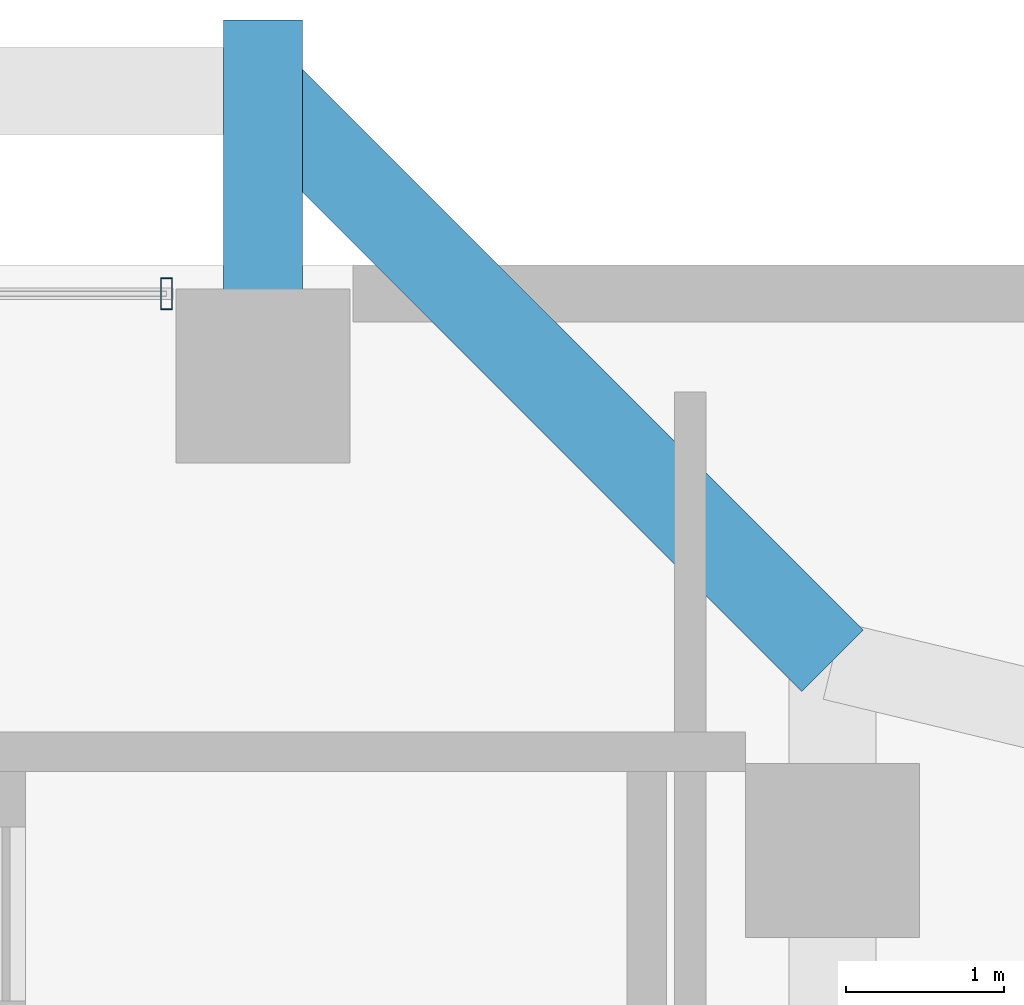
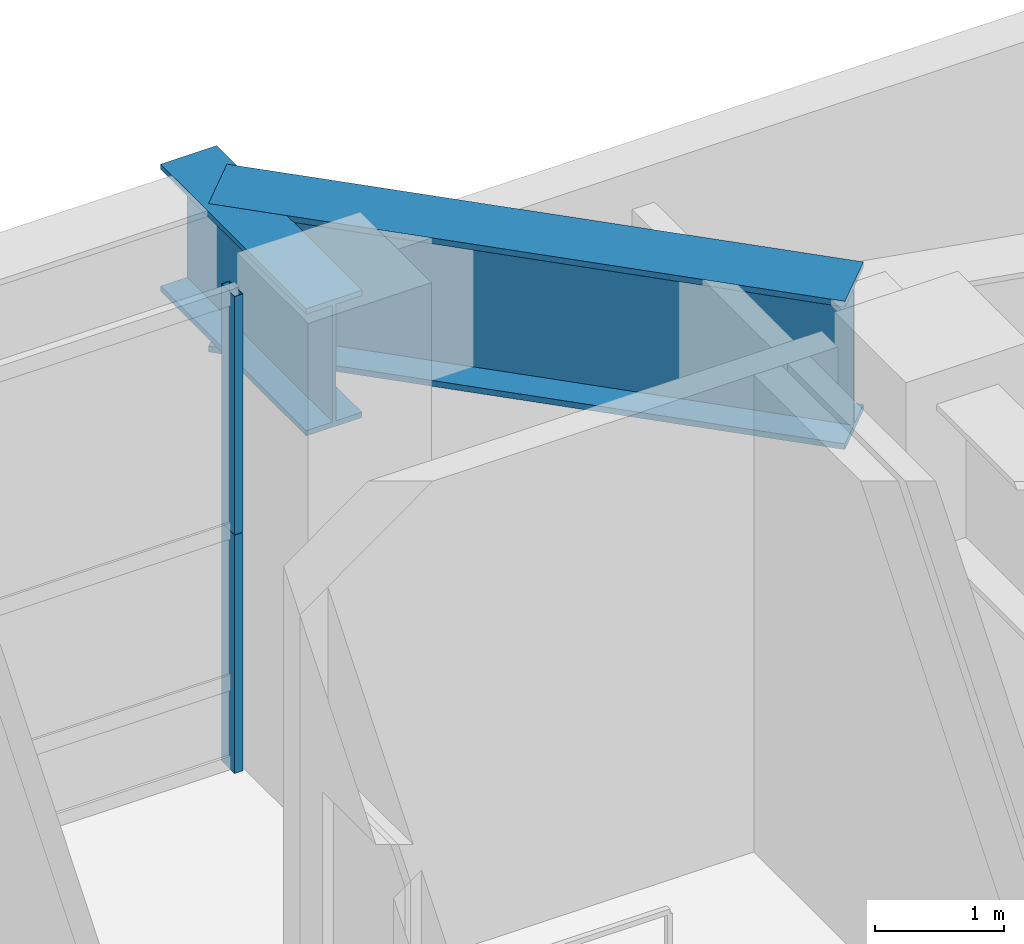
# One storey, part 23 of 34: 2 beams, 2 members, 1 element without a shape of its own.
"""IFC4 building model written with IfcOpenShell, lengths in metres."""

import ifcopenshell
import ifcopenshell.guid

model = None  # the IFC model being written
_history = None  # IfcOwnerHistory: only IFC2X3 demands one
_inside = {}  # id of a spatial element -> (the spatial element, [elements in it])
_under = {}  # id of a project, library or spatial element -> (it, [spatial elements below it])
_declared = {}  # id of a project -> (the project, [libraries it declares])
_typed = {}  # id of a type object -> (the type object, [elements of that type])
_made_of = {}  # id of a material, layer set ... -> (it, [elements and type objects made of it])


def new_model(schema):
    """Start an empty IFC model of exactly this schema.

    Asked for "IFC4X3", IfcOpenShell would pick the latest addendum, in which some entities
    have other attributes; the version numbers below select the first issue.
    IFC2X3 requires an IfcOwnerHistory on every rooted entity: one is made here for all.
    """
    global model, _history
    if schema == "IFC4X3":
        model = ifcopenshell.file(schema_version=(4, 3, 0, 0))
    else:
        model = ifcopenshell.file(schema=schema)
    _inside.clear()
    _under.clear()
    _declared.clear()
    _typed.clear()
    _made_of.clear()
    _history = None
    if model.schema == "IFC2X3":
        org = make("IfcOrganization", Name="unknown")
        user = make(
            "IfcPersonAndOrganization",
            ThePerson=make("IfcPerson", FamilyName="unknown"),
            TheOrganization=org,
        )
        app = make(
            "IfcApplication",
            ApplicationDeveloper=org,
            Version="unknown",
            ApplicationFullName="unknown",
            ApplicationIdentifier="unknown",
        )
        _history = make(
            "IfcOwnerHistory",
            OwningUser=user,
            OwningApplication=app,
            ChangeAction="ADDED",
            CreationDate=0,
        )
    return model


def make(cls, **values):
    """One entity of the class cls with the attributes given. An attribute that is None is left unset."""
    return model.create_entity(
        cls, **{name: value for name, value in values.items() if value is not None}
    )


def rooted(cls, **values):
    """An entity with a GlobalId (a new one), such as an element, a storey or a relation."""
    return make(cls, GlobalId=ifcopenshell.guid.new(), OwnerHistory=_history, **values)


def si_unit(unit_type, name, prefix=None):
    """IfcSIUnit, for example si_unit("LENGTHUNIT", "METRE", prefix="MILLI")."""
    return make("IfcSIUnit", UnitType=unit_type, Prefix=prefix, Name=name)


def assignment(units):
    """IfcUnitAssignment: the units of a project."""
    return None if units is None else make("IfcUnitAssignment", Units=units)


def point(xyz):
    """IfcCartesianPoint."""
    return None if xyz is None else make("IfcCartesianPoint", Coordinates=xyz)


def direction(xyz):
    """IfcDirection."""
    return None if xyz is None else make("IfcDirection", DirectionRatios=xyz)


def frame(location, z_axis=None, x_axis=None):
    """IfcAxis2Placement3D, a coordinate frame: its origin and axes. An axis left out is left unset."""
    return make(
        "IfcAxis2Placement3D",
        Location=point(location),
        Axis=direction(z_axis),
        RefDirection=direction(x_axis),
    )


def frame_2d(location, x_axis=None):
    """IfcAxis2Placement2D, a coordinate frame in the plane: its origin and x axis."""
    return make(
        "IfcAxis2Placement2D", Location=point(location), RefDirection=direction(x_axis)
    )


def origin():
    """The frame at (0, 0, 0) with its axes left unset."""
    return frame((0.0, 0.0, 0.0))


def origin_2d():
    """The frame at (0, 0) in the plane with its x axis left unset."""
    return frame_2d((0.0, 0.0))


def place(relative_to, where):
    """IfcLocalPlacement: puts the frame where relative to a parent placement (None: the world)."""
    return make(
        "IfcLocalPlacement", PlacementRelTo=relative_to, RelativePlacement=where
    )


def context(
    kind, dimensions, precision=None, world=None, true_north=None, identifier=None
):
    """IfcGeometricRepresentationContext, for example the 3D "Model" context."""
    return make(
        "IfcGeometricRepresentationContext",
        ContextIdentifier=identifier,
        ContextType=kind,
        CoordinateSpaceDimension=dimensions,
        Precision=precision,
        WorldCoordinateSystem=world,
        TrueNorth=true_north,
    )


def subcontext(parent, identifier, kind, view, scale=None):
    """IfcGeometricRepresentationSubContext, for example "Body" below "Model"."""
    return make(
        "IfcGeometricRepresentationSubContext",
        ContextIdentifier=identifier,
        ContextType=kind,
        ParentContext=parent,
        TargetScale=scale,
        TargetView=view,
    )


def project(units=None, contexts=None):
    """IfcProject with its units and contexts."""
    return rooted(
        "IfcProject",
        Name="project",
        RepresentationContexts=contexts,
        UnitsInContext=assignment(units),
    )


def spatial(cls, under=None, at=None, **own):
    """A site, building, storey or space (cls), placed at a placement, below another one or the project."""
    s = rooted(cls, ObjectPlacement=at, **own)
    if under is not None:
        _under.setdefault(under.id(), (under, []))[1].append(s)
    return s


def profile(cls, at=None, kind="AREA", **sizes):
    """A parametric profile (cls). Its sizes go by their IFC names, for example OverallWidth=200.0."""
    return make(cls, ProfileType=kind, Position=at, **sizes)


def hollow_rectangle(**sizes):
    """IfcRectangleHollowProfileDef."""
    return profile("IfcRectangleHollowProfileDef", **sizes)


def i_section(**sizes):
    """IfcIShapeProfileDef."""
    return profile("IfcIShapeProfileDef", **sizes)


def extrude(swept, where, along, depth):
    """IfcExtrudedAreaSolid: the profile swept, set in the frame where, extruded along a direction by depth."""
    return make(
        "IfcExtrudedAreaSolid",
        SweptArea=swept,
        Position=where,
        ExtrudedDirection=direction(along),
        Depth=depth,
    )


def shape(context_of_items, identifier, shape_type, items):
    """IfcShapeRepresentation: the items that make up one representation, for example the "Body"."""
    return make(
        "IfcShapeRepresentation",
        ContextOfItems=context_of_items,
        RepresentationIdentifier=identifier,
        RepresentationType=shape_type,
        Items=items,
    )


def source(mapping_origin, context_of_items, identifier, shape_type, items):
    """IfcRepresentationMap: a shape defined once, which mapped items show again and again."""
    return make(
        "IfcRepresentationMap",
        MappingOrigin=mapping_origin,
        MappedRepresentation=shape(context_of_items, identifier, shape_type, items),
    )


def transform(
    local_origin,
    x_axis=None,
    y_axis=None,
    z_axis=None,
    scale=None,
    scale2=None,
    scale3=None,
    uniform=True,
):
    """IfcCartesianTransformationOperator3D, or its non-uniform kind. x_axis, y_axis, z_axis: its Axis1, 2, 3."""
    if uniform:
        return make(
            "IfcCartesianTransformationOperator3D",
            Axis1=direction(x_axis),
            Axis2=direction(y_axis),
            LocalOrigin=point(local_origin),
            Scale=scale,
            Axis3=direction(z_axis),
        )
    return make(
        "IfcCartesianTransformationOperator3DnonUniform",
        Axis1=direction(x_axis),
        Axis2=direction(y_axis),
        LocalOrigin=point(local_origin),
        Scale=scale,
        Axis3=direction(z_axis),
        Scale2=scale2,
        Scale3=scale3,
    )


def mapped(mapping_source, mapping_target):
    """IfcMappedItem: shows the shape of a source again, moved by a transform."""
    return make(
        "IfcMappedItem", MappingSource=mapping_source, MappingTarget=mapping_target
    )


def material(Name=None, Category=None):
    """IfcMaterial."""
    return make("IfcMaterial", Name=Name, Category=Category)


def layer(
    of_material, thickness, ventilated=None, Name=None, Category=None, Priority=None
):
    """IfcMaterialLayer: one layer of a wall or slab, of a material (None: an air gap)."""
    return make(
        "IfcMaterialLayer",
        Material=of_material,
        LayerThickness=thickness,
        IsVentilated=ventilated,
        Name=Name,
        Category=Category,
        Priority=Priority,
    )


def layer_set(layers, Name=None):
    """IfcMaterialLayerSet."""
    return make("IfcMaterialLayerSet", MaterialLayers=layers, LayerSetName=Name)


def material_profile(
    of_material, cross_section, Name=None, Category=None, Priority=None
):
    """IfcMaterialProfile: a cross section and its material."""
    return make(
        "IfcMaterialProfile",
        Name=Name,
        Material=of_material,
        Profile=cross_section,
        Priority=Priority,
        Category=Category,
    )


def profile_set(profiles, Name=None, composite=None):
    """IfcMaterialProfileSet."""
    return make(
        "IfcMaterialProfileSet",
        Name=Name,
        MaterialProfiles=profiles,
        CompositeProfile=composite,
    )


def made_of(thing, what):
    """Note that an element or type object is made of a material, layer set ...; save() writes the relation."""
    if what is not None:
        _made_of.setdefault(what.id(), (what, []))[1].append(thing)
    return thing


def type_object(cls, material=None, **own):
    """A type object (cls), such as IfcWallType, which elements share."""
    return made_of(rooted(cls, **own), material)


def element(
    cls,
    number,
    at=None,
    inside=None,
    cuts=None,
    type_object=None,
    material=None,
    context=None,
    identifier="Body",
    shape_type=None,
    held_by="IfcProductDefinitionShape",
    body=None,
    shapes=None,
    **own,
):
    """One element of the class cls, such as IfcWall. Its Tag is "e" and its number.

    at: its placement. inside: the storey or other place that contains it. cuts: it is an
    opening in that element (IfcRelVoidsElement). A single representation is given by context,
    identifier, shape_type and body (its items); several are given by shapes. held_by: the class
    of the entity that holds the representations. save() writes the other relations.
    """
    e = rooted(cls, Tag="e%d" % number, ObjectPlacement=at, **own)
    if body is not None:
        shapes = [shape(context, identifier, shape_type, body)]
    if shapes is not None:
        e.Representation = make(held_by, Representations=shapes)
    if inside is not None:
        _inside.setdefault(inside.id(), (inside, []))[1].append(e)
    if cuts is not None:
        rooted(
            "IfcRelVoidsElement", RelatingBuildingElement=cuts, RelatedOpeningElement=e
        )
    if type_object is not None:
        _typed.setdefault(type_object.id(), (type_object, []))[1].append(e)
    return made_of(e, material)


def aggregate(whole, parts):
    """IfcRelAggregates: a whole, such as a stair, and the parts it consists of."""
    return rooted("IfcRelAggregates", RelatingObject=whole, RelatedObjects=parts)


def save(model, path):
    """Write the relations noted so far, then the file.

    IfcRelAggregates (storeys below a building ...), IfcRelContainedInSpatialStructure (elements
    in a storey), IfcRelDefinesByType, IfcRelAssociatesMaterial and IfcRelDeclares: one each for
    every whole, place, type object, material and project.
    """
    for whole, parts in _under.values():
        aggregate(whole, parts)
    for where, things in _inside.values():
        rooted(
            "IfcRelContainedInSpatialStructure",
            RelatedElements=things,
            RelatingStructure=where,
        )
    for kind, things in _typed.values():
        rooted("IfcRelDefinesByType", RelatedObjects=things, RelatingType=kind)
    for what, things in _made_of.values():
        rooted("IfcRelAssociatesMaterial", RelatedObjects=things, RelatingMaterial=what)
    for by, libraries in _declared.values():
        rooted("IfcRelDeclares", RelatingContext=by, RelatedDefinitions=libraries)
    model.write(path)


model = new_model("IFC4")

# Units and contexts
model_context = context("Model", 3, precision=1e-05, world=origin(), true_north=direction((0.0, 1.0)))
body_context = subcontext(model_context, "Body", "Model", "MODEL_VIEW")
ifc_project = project(units=[si_unit("LENGTHUNIT", "METRE"), si_unit("AREAUNIT", "SQUARE_METRE"), si_unit("VOLUMEUNIT", "CUBIC_METRE"), si_unit("PLANEANGLEUNIT", "RADIAN"), si_unit("MASSUNIT", "GRAM", prefix="KILO"), si_unit("THERMODYNAMICTEMPERATUREUNIT", "KELVIN"), si_unit("POWERUNIT", "WATT")], contexts=[model_context])

# Site, building, storey
site_placement = place(None, origin())
site = spatial("IfcSite", under=ifc_project, at=site_placement, CompositionType="ELEMENT")
building_placement = place(site_placement, origin())
building = spatial("IfcBuilding", under=site, at=building_placement, Name="Yuzanri Waterfront Tower", CompositionType="ELEMENT")
storey_placement = place(building_placement, frame((0.0, 0.0, 25.800048828125)))
storey = spatial("IfcBuildingStorey", under=building, at=storey_placement, Name="L06", CompositionType="ELEMENT", Elevation=25.800048828125)

# Beams
ifc_material_1 = material(Name="Steel Q420GJC", Category="steel")
ifc_material_profile_1 = material_profile(ifc_material_1, i_section(OverallWidth=0.550048828125, OverallDepth=1.39990234375, WebThickness=0.030029296875, FlangeThickness=0.054931640625, at=origin_2d()), Name="PG 1400x550x30x55")
ifc_profile_set_1 = profile_set([ifc_material_profile_1], Name="Steel Q420GJC")
beam_type_1 = type_object("IfcBeamType", Name="Tower Base Transfer Girder Q420GJC PG 1400x550", PredefinedType="USERDEFINED", material=ifc_profile_set_1)
shared_shape_1 = source(origin(), body_context, "Body", "SweptSolid", [
    extrude(i_section(OverallWidth=0.550048828125, OverallDepth=1.39990234375, WebThickness=0.030029296875, FlangeThickness=0.054931640625, at=origin_2d()), origin(), (0.0, 0.0, 1.0), 5.091064453125),
])
beam_1_placement = place(storey_placement, frame((62.10009765625, 47.300048828125, 3.800048828125), z_axis=(-0.707130757816, 0.707082803744, 0.0), x_axis=(-0.707082803744, -0.707130757816, 0.0)))
element("IfcBeam", 1, at=beam_1_placement, inside=storey, type_object=beam_type_1, Name="L06 Tower Base Ring E3-N3", ObjectType="GIRDER", PredefinedType="USERDEFINED", context=body_context, shape_type="MappedRepresentation", body=[
    mapped(shared_shape_1, transform((0.0, 0.0, 0.0), scale=1.0)),
])
ifc_material_2 = material(Name="Steel Q420GJC", Category="steel")
ifc_material_profile_2 = material_profile(ifc_material_2, i_section(OverallWidth=0.5, OverallDepth=1.199951171875, WebThickness=0.028076171875, FlangeThickness=0.050048828125, at=origin_2d()), Name="PG 1200x500x28x50")
ifc_profile_set_2 = profile_set([ifc_material_profile_2], Name="Steel Q420GJC")
beam_type_2 = type_object("IfcBeamType", Name="Setback Transfer Girder Q420GJC PG 1200x500", PredefinedType="USERDEFINED", material=ifc_profile_set_2)
shared_shape_2 = source(origin(), body_context, "Body", "SweptSolid", [
    extrude(i_section(OverallWidth=0.5, OverallDepth=1.199951171875, WebThickness=0.028076171875, FlangeThickness=0.050048828125, at=origin_2d()), origin(), (0.0, 0.0, 1.0), 2.25),
])
beam_2_placement = place(storey_placement, frame((58.5, 51.35009765625, 3.89990234375), z_axis=(0.0, -1.0, 0.0), x_axis=(1.0, 0.0, 0.0)))
element("IfcBeam", 2, at=beam_2_placement, inside=storey, type_object=beam_type_2, Name="L06 Tower Base Tie N3", ObjectType="GIRDER", PredefinedType="USERDEFINED", context=body_context, shape_type="MappedRepresentation", body=[
    mapped(shared_shape_2, transform((0.0, 0.0, 0.0), scale=1.0)),
])

# Curtain wall, members
ifc_material_3 = material(Name="Anodized Architectural Bronze", Category="metal")
ifc_layer = layer(ifc_material_3, 0.159912109375)
ifc_layer_set = layer_set([ifc_layer], Name="Anodized Architectural Bronze")
curtain_wall_type = type_object("IfcCurtainWallType", Name="Anodized Bronze Podium Waterfront Double-Height Unitized Curtain Wall 8400", PredefinedType="NOTDEFINED", material=ifc_layer_set)
curtain_wall_placement = place(storey_placement, origin())
curtain_wall = element("IfcCurtainWall", 3, at=curtain_wall_placement, inside=storey, type_object=curtain_wall_type, Name="L06 Curtain Wall CW-L06-N2", PredefinedType="NOTDEFINED")
ifc_material_4 = material(Name="Anodized Architectural Bronze", Category="metal")
ifc_material_profile_3 = material_profile(ifc_material_4, hollow_rectangle(XDim=0.074951171875, YDim=0.199951171875, WallThickness=0.00390625, at=origin_2d()), Name="CWM 75x200")
ifc_profile_set_3 = profile_set([ifc_material_profile_3], Name="Anodized Architectural Bronze")
member_type = type_object("IfcMemberType", Name="Anodized Bronze Primary Curtain-Wall Mullion 75x200", PredefinedType="MULLION", material=ifc_profile_set_3)
shared_shape_3 = source(origin(), body_context, "Body", "SweptSolid", [
    extrude(hollow_rectangle(XDim=0.074951171875, YDim=0.199951171875, WallThickness=0.00390625, at=origin_2d()), origin(), (0.0, 0.0, 1.0), 2.248046875),
])
member_1_placement = place(storey_placement, frame((57.889892578125, 49.6201171875, 0.0), z_axis=(0.0, 0.0, 1.0), x_axis=(1.0, 0.0, 0.0)))
member_1 = element("IfcMember", 4, at=member_1_placement, type_object=member_type, Name="CW-L06-N2 Lower Mullion 02", PredefinedType="MULLION", context=body_context, shape_type="MappedRepresentation", body=[
    mapped(shared_shape_3, transform((0.0, 0.0, 0.0), scale=1.0)),
])
member_2_placement = place(storey_placement, frame((57.889892578125, 49.6201171875, 2.251953125), z_axis=(0.0, 0.0, 1.0), x_axis=(1.0, 0.0, 0.0)))
member_2 = element("IfcMember", 5, at=member_2_placement, type_object=member_type, Name="CW-L06-N2 Upper Mullion 02", PredefinedType="MULLION", context=body_context, shape_type="MappedRepresentation", body=[
    mapped(shared_shape_3, transform((0.0, 0.0, 0.0), scale=1.0)),
])
aggregate(curtain_wall, [member_1, member_2])

save(model, "model.ifc")
